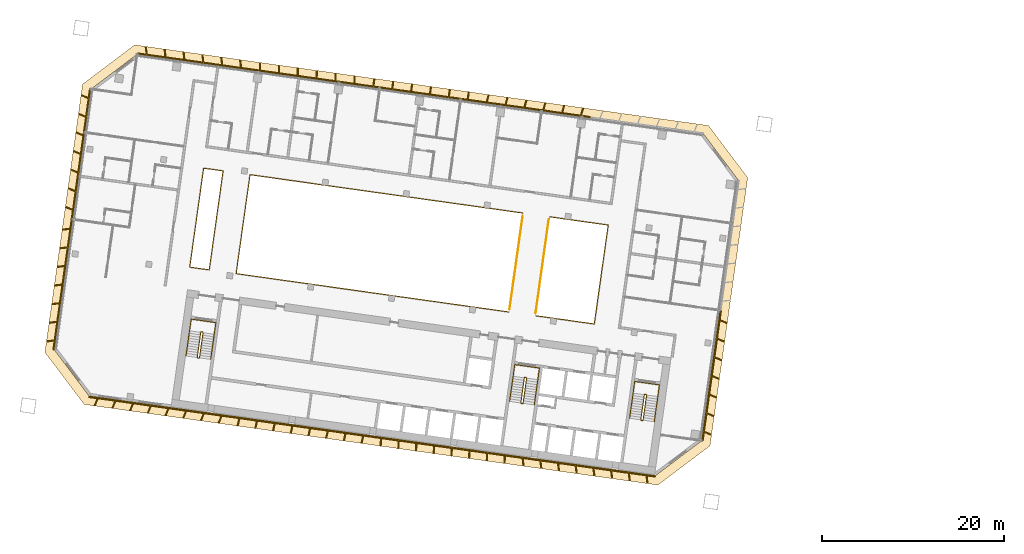
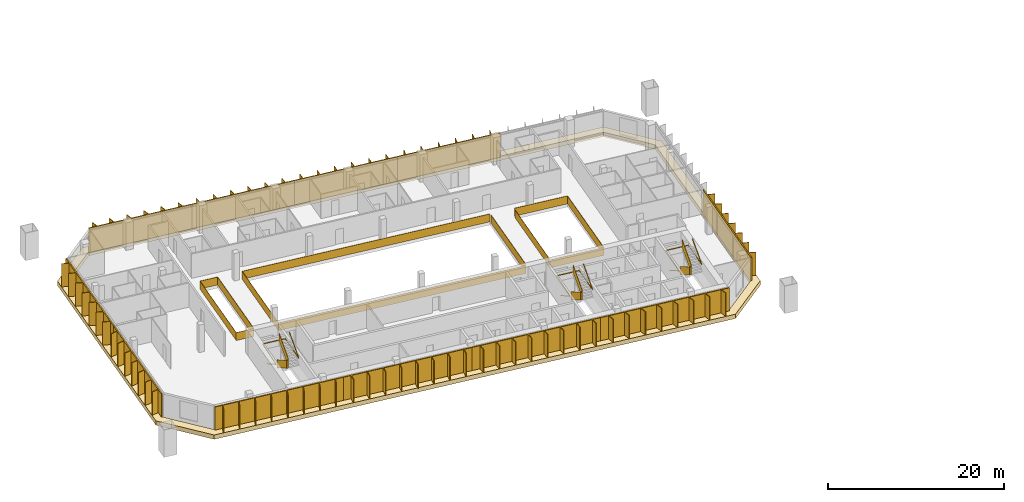
# One storey, part 25 of 27: 11 railings, 11 shading devices, 1 covering.
"""IFC4 building model written with IfcOpenShell, lengths in metres."""

from ifc_helpers import new_model, si_unit, direction, frame, origin, origin_2d, place, context, subcontext, project, spatial, polyline, rectangle, outline, extrude, material, layer, layer_set, type_object, element, save


model = new_model("IFC4")

# Units and contexts
model_context = context("Model", 3, precision=1e-05, world=origin(), true_north=direction((0.0, 1.0)))
body_context = subcontext(model_context, "Body", "Model", "MODEL_VIEW")
ifc_project = project(units=[si_unit("LENGTHUNIT", "METRE"), si_unit("AREAUNIT", "SQUARE_METRE"), si_unit("VOLUMEUNIT", "CUBIC_METRE"), si_unit("PLANEANGLEUNIT", "RADIAN"), si_unit("MASSUNIT", "GRAM", prefix="KILO")], contexts=[model_context])

# Site, building, storey
site_placement = place(None, origin())
site = spatial("IfcSite", under=ifc_project, at=site_placement, CompositionType="ELEMENT")
building_placement = place(site_placement, origin())
building = spatial("IfcBuilding", under=site, at=building_placement, Name="Mirante Cascada Hotel Towers", CompositionType="ELEMENT")
storey_placement = place(building_placement, frame((0.0, 0.0, 117.7)))
storey = spatial("IfcBuildingStorey", under=building, at=storey_placement, Name="L26", CompositionType="ELEMENT", Elevation=117.7)

# Railings
ifc_material_1 = material(Name="Toughened glass with stainless steel handrail", Category="steel")
railing_type_1 = type_object("IfcRailingType", Name="Atrium guard 1100 glass balustrade", PredefinedType="GUARDRAIL", material=ifc_material_1)
railing_1_placement = place(storey_placement, frame((-48.76, 8.3112, 0.0)))
element("IfcRailing", 1, at=railing_1_placement, inside=storey, type_object=railing_type_1, Name="GUARD 1-L26-1", PredefinedType="GUARDRAIL", context=body_context, shape_type="SweptSolid", body=[
    extrude(rectangle(XDim=0.048, YDim=0.048, at=origin_2d()), frame((0.0, 0.0, 1.076), z_axis=(0.9902694, -0.1391638, 0.0), x_axis=(0.1391638, 0.9902694, 0.0)), (0.0, 0.0, 1.0), 6.5125),
    extrude(rectangle(XDim=0.02, YDim=1.052, at=origin_2d()), frame((0.0, 0.0, 0.526), z_axis=(0.9902694, -0.1391638, 0.0), x_axis=(0.1391638, 0.9902694, 0.0)), (0.0, 0.0, 1.0), 6.5125),
    extrude(rectangle(XDim=0.048, YDim=0.048, at=origin_2d()), frame((6.4491, -0.9063, 1.076), z_axis=(-0.1391721, -0.9902682, 0.0), x_axis=(0.9902682, -0.1391721, 0.0)), (0.0, 0.0, 1.0), 11.0001),
    extrude(rectangle(XDim=0.02, YDim=1.052, at=origin_2d()), frame((6.4491, -0.9063, 0.526), z_axis=(-0.1391721, -0.9902682, 0.0), x_axis=(0.9902682, -0.1391721, 0.0)), (0.0, 0.0, 1.0), 11.0001),
    extrude(rectangle(XDim=0.048, YDim=0.048, at=origin_2d()), frame((4.9182, -11.7993, 1.076), z_axis=(-0.9902673, 0.1391788, 0.0), x_axis=(-0.1391788, -0.9902673, 0.0)), (0.0, 0.0, 1.0), 6.5125),
    extrude(rectangle(XDim=0.02, YDim=1.052, at=origin_2d()), frame((4.9182, -11.7993, 0.526), z_axis=(-0.9902673, 0.1391788, 0.0), x_axis=(-0.1391788, -0.9902673, 0.0)), (0.0, 0.0, 1.0), 6.5125),
])
railing_2_placement = place(storey_placement, frame((-53.2617, -2.1642, 0.0)))
element("IfcRailing", 2, at=railing_2_placement, inside=storey, type_object=railing_type_1, Name="GUARD 1-L26-2", PredefinedType="GUARDRAIL", context=body_context, shape_type="SweptSolid", body=[
    extrude(rectangle(XDim=0.048, YDim=0.048, at=origin_2d()), frame((0.0, 0.0, 1.076), z_axis=(-0.9902682, 0.1391722, 0.0), x_axis=(-0.1391722, -0.9902682, 0.0)), (0.0, 0.0, 1.0), 30.325),
    extrude(rectangle(XDim=0.02, YDim=1.052, at=origin_2d()), frame((0.0, 0.0, 0.526), z_axis=(-0.9902682, 0.1391722, 0.0), x_axis=(-0.1391722, -0.9902682, 0.0)), (0.0, 0.0, 1.0), 30.325),
    extrude(rectangle(XDim=0.048, YDim=0.048, at=origin_2d()), frame((-30.0299, 4.2204, 1.076), z_axis=(0.1391721, 0.9902682, 0.0), x_axis=(-0.9902682, 0.1391721, 0.0)), (0.0, 0.0, 1.0), 11.0001),
    extrude(rectangle(XDim=0.02, YDim=1.052, at=origin_2d()), frame((-30.0299, 4.2204, 0.526), z_axis=(0.1391721, 0.9902682, 0.0), x_axis=(-0.9902682, 0.1391721, 0.0)), (0.0, 0.0, 1.0), 11.0001),
    extrude(rectangle(XDim=0.048, YDim=0.048, at=origin_2d()), frame((-28.499, 15.1134, 1.076), z_axis=(0.9902682, -0.1391722, 0.0), x_axis=(0.1391722, 0.9902682, 0.0)), (0.0, 0.0, 1.0), 30.325),
    extrude(rectangle(XDim=0.02, YDim=1.052, at=origin_2d()), frame((-28.499, 15.1134, 0.526), z_axis=(0.9902682, -0.1391722, 0.0), x_axis=(0.1391722, 0.9902682, 0.0)), (0.0, 0.0, 1.0), 30.325),
])
railing_3_placement = place(storey_placement, frame((-86.2624, 2.4738, 0.0)))
element("IfcRailing", 3, at=railing_3_placement, inside=storey, type_object=railing_type_1, Name="GUARD 1-L26-3", PredefinedType="GUARDRAIL", context=body_context, shape_type="SweptSolid", body=[
    extrude(rectangle(XDim=0.048, YDim=0.048, at=origin_2d()), frame((0.0, 0.0, 1.076), z_axis=(-0.9902724, 0.1391422, 0.0), x_axis=(-0.1391422, -0.9902724, 0.0)), (0.0, 0.0, 1.0), 2.1625),
    extrude(rectangle(XDim=0.02, YDim=1.052, at=origin_2d()), frame((0.0, 0.0, 0.526), z_axis=(-0.9902724, 0.1391422, 0.0), x_axis=(-0.1391422, -0.9902724, 0.0)), (0.0, 0.0, 1.0), 2.1625),
    extrude(rectangle(XDim=0.048, YDim=0.048, at=origin_2d()), frame((-2.1415, 0.3009, 1.076), z_axis=(0.1391721, 0.9902682, 0.0), x_axis=(-0.9902682, 0.1391721, 0.0)), (0.0, 0.0, 1.0), 11.0001),
    extrude(rectangle(XDim=0.02, YDim=1.052, at=origin_2d()), frame((-2.1415, 0.3009, 0.526), z_axis=(0.1391721, 0.9902682, 0.0), x_axis=(-0.9902682, 0.1391721, 0.0)), (0.0, 0.0, 1.0), 11.0001),
    extrude(rectangle(XDim=0.048, YDim=0.048, at=origin_2d()), frame((-0.6106, 11.1939, 1.076), z_axis=(0.990266, -0.1391875, 0.0), x_axis=(0.1391875, 0.990266, 0.0)), (0.0, 0.0, 1.0), 2.1626),
    extrude(rectangle(XDim=0.02, YDim=1.052, at=origin_2d()), frame((-0.6106, 11.1939, 0.526), z_axis=(0.990266, -0.1391875, 0.0), x_axis=(0.1391875, 0.990266, 0.0)), (0.0, 0.0, 1.0), 2.1626),
    extrude(rectangle(XDim=0.048, YDim=0.048, at=origin_2d()), frame((1.5309, 10.8929, 1.076), z_axis=(-0.1391733, -0.990268, 0.0), x_axis=(0.990268, -0.1391733, 0.0)), (0.0, 0.0, 1.0), 11.0),
    extrude(rectangle(XDim=0.02, YDim=1.052, at=origin_2d()), frame((1.5309, 10.8929, 0.526), z_axis=(-0.1391733, -0.990268, 0.0), x_axis=(0.990268, -0.1391733, 0.0)), (0.0, 0.0, 1.0), 11.0),
])
railing_4_placement = place(storey_placement, frame((-53.172, -1.8782, 0.0)))
element("IfcRailing", 4, at=railing_4_placement, inside=storey, type_object=railing_type_1, Name="GUARD 1-L26-4", PredefinedType="GUARDRAIL", context=body_context, shape_type="SweptSolid", body=[
    extrude(rectangle(XDim=0.048, YDim=0.048, at=origin_2d()), frame((0.0, 0.0, 1.076), z_axis=(0.1391721, 0.9902682, 0.0), x_axis=(-0.9902682, 0.1391721, 0.0)), (0.0, 0.0, 1.0), 10.4087),
    extrude(rectangle(XDim=0.02, YDim=1.052, at=origin_2d()), frame((0.0, 0.0, 0.526), z_axis=(0.1391721, 0.9902682, 0.0), x_axis=(-0.9902682, 0.1391721, 0.0)), (0.0, 0.0, 1.0), 10.4087),
])
railing_5_placement = place(storey_placement, frame((-48.8497, 8.0253, 0.0)))
element("IfcRailing", 5, at=railing_5_placement, inside=storey, type_object=railing_type_1, Name="GUARD 1-L26-5", PredefinedType="GUARDRAIL", context=body_context, shape_type="SweptSolid", body=[
    extrude(rectangle(XDim=0.048, YDim=0.048, at=origin_2d()), frame((0.0, 0.0, 1.076), z_axis=(-0.1391708, -0.9902684, 0.0), x_axis=(0.9902684, -0.1391708, 0.0)), (0.0, 0.0, 1.0), 10.4088),
    extrude(rectangle(XDim=0.02, YDim=1.052, at=origin_2d()), frame((0.0, 0.0, 0.526), z_axis=(-0.1391708, -0.9902684, 0.0), x_axis=(0.9902684, -0.1391708, 0.0)), (0.0, 0.0, 1.0), 10.4088),
])

# Covering
ifc_material_2 = material(Name="Precast concrete C40/50 white", Category="concrete")
ifc_layer = layer(ifc_material_2, 0.6)
ifc_layer_set = layer_set([ifc_layer], Name="Precast concrete SUNSHADE band 1000x600")
covering_type = type_object("IfcCoveringType", Name="Precast concrete SUNSHADE band 1000x600", PredefinedType="CLADDING", material=ifc_layer_set)
covering_placement = place(storey_placement, frame((0.0, 0.0, -0.45)))
element("IfcCovering", 6, at=covering_placement, inside=storey, type_object=covering_type, Name="Precast concrete SUNSHADE band T1 L26", PredefinedType="CLADDING", context=body_context, shape_type="SweptSolid", body=[
    extrude(outline(polyline([(-104.3652, -6.6094), (-100.2139, 22.9287), (-94.4698, 27.2572), (-31.2626, 18.374), (-26.9341, 12.6299), (-31.0854, -16.9082), (-36.8295, -21.2367), (-100.0367, -12.3535), (-104.3652, -6.6094)]), holes=[polyline([(-27.982, 12.3589), (-31.8119, 17.4414), (-94.1988, 26.2093), (-99.2813, 22.3794), (-103.3173, -6.3384), (-99.4874, -11.4209), (-37.1005, -20.1888), (-32.018, -16.3589), (-27.982, 12.3589)])]), origin(), (0.0, 0.0, 1.0), 0.6),
])

# Railings
ifc_material_3 = material(Name="Painted steel", Category="steel")
railing_type_2 = type_object("IfcRailingType", Name="Stair guard 1100 steel balustrade", PredefinedType="GUARDRAIL", material=ifc_material_3)
railing_6_placement = place(storey_placement, frame((-38.1178, -11.2603, 0.0)))
element("IfcRailing", 7, at=railing_6_placement, inside=storey, type_object=railing_type_2, Name="L26 ST1-A stair guard 1", PredefinedType="GUARDRAIL", context=body_context, shape_type="SweptSolid", body=[
    extrude(rectangle(XDim=0.048, YDim=0.048, at=origin_2d()), frame((0.0, 0.0, 1.076), z_axis=(-0.9903326, 0.1387133, 0.0), x_axis=(-0.1387133, -0.9903326, 0.0)), (0.0, 0.0, 1.0), 0.1499),
    extrude(rectangle(XDim=0.02, YDim=1.052, at=origin_2d()), frame((0.0, 0.0, 0.526), z_axis=(-0.9903326, 0.1387133, 0.0), x_axis=(-0.1387133, -0.9903326, 0.0)), (0.0, 0.0, 1.0), 0.1499),
    extrude(rectangle(XDim=0.048, YDim=0.048, at=origin_2d()), frame((-0.1485, 0.0208, 1.076), z_axis=(-0.7991505, -0.6011309, 0.0), x_axis=(0.6011309, -0.7991505, 0.0)), (0.0, 0.9254529, 0.3788627), 0.1866),
    extrude(rectangle(XDim=0.02, YDim=1.052, at=origin_2d()), frame((-0.1485, 0.0208, 0.526), z_axis=(-0.7991505, -0.6011309, 0.0), x_axis=(0.6011309, -0.7991505, 0.0)), (0.0, 0.9254529, 0.3788627), 0.1866),
    extrude(rectangle(XDim=0.048, YDim=0.048, at=origin_2d()), frame((-0.205, -0.0217, 1.2487), z_axis=(-0.139176, -0.9902677, 0.0), x_axis=(0.9902677, -0.139176, 0.0)), (0.0, 0.5250212, 0.8510891), 3.29),
    extrude(rectangle(XDim=0.02, YDim=1.052, at=origin_2d()), frame((-0.205, -0.0217, 0.6987), z_axis=(-0.139176, -0.9902677, 0.0), x_axis=(0.9902677, -0.139176, 0.0)), (0.0, 0.5250212, 0.8510891), 3.29),
    extrude(rectangle(XDim=0.048, YDim=0.048, at=origin_2d()), frame((-0.5947, -2.7945, 2.976), z_axis=(0.9270311, -0.3749843, 0.0), x_axis=(0.3749843, 0.9270311, 0.0)), (0.0, 0.0, 1.0), 0.2061),
    extrude(rectangle(XDim=0.02, YDim=1.052, at=origin_2d()), frame((-0.5947, -2.7945, 2.426), z_axis=(0.9270311, -0.3749843, 0.0), x_axis=(0.3749843, 0.9270311, 0.0)), (0.0, 0.0, 1.0), 0.2061),
    extrude(rectangle(XDim=0.048, YDim=0.048, at=origin_2d()), frame((-0.4036, -2.8718, 2.976), z_axis=(-0.9902408, 0.1393672, 0.0), x_axis=(-0.1393672, -0.9902408, 0.0)), (0.0, 0.0, 1.0), 0.15),
    extrude(rectangle(XDim=0.02, YDim=1.052, at=origin_2d()), frame((-0.4036, -2.8718, 2.426), z_axis=(-0.9902408, 0.1393672, 0.0), x_axis=(-0.1393672, -0.9902408, 0.0)), (0.0, 0.0, 1.0), 0.15),
    extrude(rectangle(XDim=0.048, YDim=0.048, at=origin_2d()), frame((-0.5521, -2.8509, 2.976), z_axis=(0.9944948, 0.1047858, 0.0), x_axis=(-0.1047858, 0.9944948, 0.0)), (0.0, 0.6422034, 0.7665343), 0.2689),
    extrude(rectangle(XDim=0.02, YDim=1.052, at=origin_2d()), frame((-0.5521, -2.8509, 2.426), z_axis=(0.9944948, 0.1047858, 0.0), x_axis=(-0.1047858, 0.9944948, 0.0)), (0.0, 0.6422034, 0.7665343), 0.2689),
    extrude(rectangle(XDim=0.048, YDim=0.048, at=origin_2d()), frame((-0.3471, -2.8293, 3.1487), z_axis=(0.139176, 0.9902677, 0.0), x_axis=(-0.9902677, 0.139176, 0.0)), (0.0, 0.5250212, 0.8510891), 3.29),
    extrude(rectangle(XDim=0.02, YDim=1.052, at=origin_2d()), frame((-0.3471, -2.8293, 2.5987), z_axis=(0.139176, 0.9902677, 0.0), x_axis=(-0.9902677, 0.139176, 0.0)), (0.0, 0.5250212, 0.8510891), 3.29),
])
railing_7_placement = place(storey_placement, frame((-51.3379, -9.4024, 0.0)))
element("IfcRailing", 8, at=railing_7_placement, inside=storey, type_object=railing_type_2, Name="L26 ST1-B stair guard 1", PredefinedType="GUARDRAIL", context=body_context, shape_type="SweptSolid", body=[
    extrude(rectangle(XDim=0.048, YDim=0.048, at=origin_2d()), frame((0.0, 0.0, 1.076), z_axis=(-0.9902408, 0.1393672, 0.0), x_axis=(-0.1393672, -0.9902408, 0.0)), (0.0, 0.0, 1.0), 0.15),
    extrude(rectangle(XDim=0.02, YDim=1.052, at=origin_2d()), frame((0.0, 0.0, 0.526), z_axis=(-0.9902408, 0.1393672, 0.0), x_axis=(-0.1393672, -0.9902408, 0.0)), (0.0, 0.0, 1.0), 0.15),
    extrude(rectangle(XDim=0.048, YDim=0.048, at=origin_2d()), frame((-0.1485, 0.0209, 1.076), z_axis=(-0.7984711, -0.6020331, 0.0), x_axis=(0.6020331, -0.7984711, 0.0)), (0.0, 0.9253398, 0.3791387), 0.1866),
    extrude(rectangle(XDim=0.02, YDim=1.052, at=origin_2d()), frame((-0.1485, 0.0209, 0.526), z_axis=(-0.7984711, -0.6020331, 0.0), x_axis=(0.6020331, -0.7984711, 0.0)), (0.0, 0.9253398, 0.3791387), 0.1866),
    extrude(rectangle(XDim=0.048, YDim=0.048, at=origin_2d()), frame((-0.205, -0.0217, 1.2487), z_axis=(-0.139181, -0.990267, 0.0), x_axis=(0.990267, -0.139181, 0.0)), (0.0, 0.5250347, 0.8510808), 3.2899),
    extrude(rectangle(XDim=0.02, YDim=1.052, at=origin_2d()), frame((-0.205, -0.0217, 0.6987), z_axis=(-0.139181, -0.990267, 0.0), x_axis=(0.990267, -0.139181, 0.0)), (0.0, 0.5250347, 0.8510808), 3.2899),
    extrude(rectangle(XDim=0.048, YDim=0.048, at=origin_2d()), frame((-0.5947, -2.7944, 2.976), z_axis=(0.9268624, -0.3754011, 0.0), x_axis=(0.3754011, 0.9268624, 0.0)), (0.0, 0.0, 1.0), 0.2062),
    extrude(rectangle(XDim=0.02, YDim=1.052, at=origin_2d()), frame((-0.5947, -2.7944, 2.426), z_axis=(0.9268624, -0.3754011, 0.0), x_axis=(0.3754011, 0.9268624, 0.0)), (0.0, 0.0, 1.0), 0.2062),
    extrude(rectangle(XDim=0.048, YDim=0.048, at=origin_2d()), frame((-0.4036, -2.8718, 2.976), z_axis=(-0.9902408, 0.1393672, 0.0), x_axis=(-0.1393672, -0.9902408, 0.0)), (0.0, 0.0, 1.0), 0.15),
    extrude(rectangle(XDim=0.02, YDim=1.052, at=origin_2d()), frame((-0.4036, -2.8718, 2.426), z_axis=(-0.9902408, 0.1393672, 0.0), x_axis=(-0.1393672, -0.9902408, 0.0)), (0.0, 0.0, 1.0), 0.15),
    extrude(rectangle(XDim=0.048, YDim=0.048, at=origin_2d()), frame((-0.5521, -2.8509, 2.976), z_axis=(0.9944441, 0.1052656, 0.0), x_axis=(-0.1052656, 0.9944441, 0.0)), (0.0, 0.6421842, 0.7665504), 0.2689),
    extrude(rectangle(XDim=0.02, YDim=1.052, at=origin_2d()), frame((-0.5521, -2.8509, 2.426), z_axis=(0.9944441, 0.1052656, 0.0), x_axis=(-0.1052656, 0.9944441, 0.0)), (0.0, 0.6421842, 0.7665504), 0.2689),
    extrude(rectangle(XDim=0.048, YDim=0.048, at=origin_2d()), frame((-0.3471, -2.8292, 3.1487), z_axis=(0.139181, 0.990267, 0.0), x_axis=(-0.990267, 0.139181, 0.0)), (0.0, 0.5250347, 0.8510808), 3.2899),
    extrude(rectangle(XDim=0.02, YDim=1.052, at=origin_2d()), frame((-0.3471, -2.8292, 2.5987), z_axis=(0.139181, 0.990267, 0.0), x_axis=(-0.990267, 0.139181, 0.0)), (0.0, 0.5250347, 0.8510808), 3.2899),
])
railing_8_placement = place(storey_placement, frame((-86.9875, -4.3922, 0.0)))
element("IfcRailing", 9, at=railing_8_placement, inside=storey, type_object=railing_type_2, Name="L26 ST1-C stair guard 1", PredefinedType="GUARDRAIL", context=body_context, shape_type="SweptSolid", body=[
    extrude(rectangle(XDim=0.048, YDim=0.048, at=origin_2d()), frame((0.0, 0.0, 1.076), z_axis=(-0.9902537, 0.1392753, 0.0), x_axis=(-0.1392753, -0.9902537, 0.0)), (0.0, 0.0, 1.0), 0.1501),
    extrude(rectangle(XDim=0.02, YDim=1.052, at=origin_2d()), frame((0.0, 0.0, 0.526), z_axis=(-0.9902537, 0.1392753, 0.0), x_axis=(-0.1392753, -0.9902537, 0.0)), (0.0, 0.0, 1.0), 0.1501),
    extrude(rectangle(XDim=0.048, YDim=0.048, at=origin_2d()), frame((-0.1486, 0.0209, 1.076), z_axis=(-0.7986386, -0.601811, 0.0), x_axis=(0.601811, -0.7986386, 0.0)), (0.0, 0.925603, 0.3784959), 0.1866),
    extrude(rectangle(XDim=0.02, YDim=1.052, at=origin_2d()), frame((-0.1486, 0.0209, 0.526), z_axis=(-0.7986386, -0.601811, 0.0), x_axis=(0.601811, -0.7986386, 0.0)), (0.0, 0.925603, 0.3784959), 0.1866),
    extrude(rectangle(XDim=0.048, YDim=0.048, at=origin_2d()), frame((-0.205, -0.0216, 1.2487), z_axis=(-0.139176, -0.9902677, 0.0), x_axis=(0.9902677, -0.139176, 0.0)), (0.0, 0.5250212, 0.8510891), 3.29),
    extrude(rectangle(XDim=0.02, YDim=1.052, at=origin_2d()), frame((-0.205, -0.0216, 0.6987), z_axis=(-0.139176, -0.9902677, 0.0), x_axis=(0.9902677, -0.139176, 0.0)), (0.0, 0.5250212, 0.8510891), 3.29),
    extrude(rectangle(XDim=0.048, YDim=0.048, at=origin_2d()), frame((-0.5947, -2.7944, 2.976), z_axis=(0.9270311, -0.3749843, 0.0), x_axis=(0.3749843, 0.9270311, 0.0)), (0.0, 0.0, 1.0), 0.2061),
    extrude(rectangle(XDim=0.02, YDim=1.052, at=origin_2d()), frame((-0.5947, -2.7944, 2.426), z_axis=(0.9270311, -0.3749843, 0.0), x_axis=(0.3749843, 0.9270311, 0.0)), (0.0, 0.0, 1.0), 0.2061),
    extrude(rectangle(XDim=0.048, YDim=0.048, at=origin_2d()), frame((-0.4036, -2.8717, 2.976), z_axis=(-0.9903454, 0.1386217, 0.0), x_axis=(-0.1386217, -0.9903454, 0.0)), (0.0, 0.0, 1.0), 0.15),
    extrude(rectangle(XDim=0.02, YDim=1.052, at=origin_2d()), frame((-0.4036, -2.8717, 2.426), z_axis=(-0.9903454, 0.1386217, 0.0), x_axis=(-0.1386217, -0.9903454, 0.0)), (0.0, 0.0, 1.0), 0.15),
    extrude(rectangle(XDim=0.048, YDim=0.048, at=origin_2d()), frame((-0.5522, -2.8509, 2.976), z_axis=(0.9944441, 0.1052656, 0.0), x_axis=(-0.1052656, 0.9944441, 0.0)), (0.0, 0.6421842, 0.7665504), 0.2689),
    extrude(rectangle(XDim=0.02, YDim=1.052, at=origin_2d()), frame((-0.5522, -2.8509, 2.426), z_axis=(0.9944441, 0.1052656, 0.0), x_axis=(-0.1052656, 0.9944441, 0.0)), (0.0, 0.6421842, 0.7665504), 0.2689),
    extrude(rectangle(XDim=0.048, YDim=0.048, at=origin_2d()), frame((-0.3472, -2.8292, 3.1487), z_axis=(0.139176, 0.9902677, 0.0), x_axis=(-0.9902677, 0.139176, 0.0)), (0.0, 0.5250212, 0.8510891), 3.29),
    extrude(rectangle(XDim=0.02, YDim=1.052, at=origin_2d()), frame((-0.3472, -2.8292, 2.5987), z_axis=(0.139176, 0.9902677, 0.0), x_axis=(-0.9902677, 0.139176, 0.0)), (0.0, 0.5250212, 0.8510891), 3.29),
])
ifc_material_4 = material(Name="Painted steel", Category="steel")
railing_type_3 = type_object("IfcRailingType", Name="Stair handrail 900 steel tube", PredefinedType="HANDRAIL", material=ifc_material_4)
railing_9_placement = place(storey_placement, frame((-39.5606, -11.1081, 0.1727)))
element("IfcRailing", 10, at=railing_9_placement, inside=storey, type_object=railing_type_3, Name="L26 ST1-A stair handrail 1", PredefinedType="HANDRAIL", context=body_context, shape_type="SweptSolid", body=[
    extrude(rectangle(XDim=0.048, YDim=0.048, at=origin_2d()), frame((0.0, 0.0, 0.876), z_axis=(-0.139181, -0.990267, 0.0), x_axis=(0.990267, -0.139181, 0.0)), (0.0, 0.5250347, 0.8510808), 3.2899),
    extrude(rectangle(XDim=0.048, YDim=0.048, at=origin_2d()), frame((-0.3897, -2.7727, 2.6033), z_axis=(0.1391707, 0.9902684, 0.0), x_axis=(-0.9902684, 0.1391707, 0.0)), (0.0, 0.0420846, 0.999114), 4.1036),
    extrude(rectangle(XDim=0.048, YDim=0.048, at=origin_2d()), frame((0.1809, 1.2874, 2.776), z_axis=(0.9902691, -0.1391657, 0.0), x_axis=(0.1391657, 0.9902691, 0.0)), (0.0, 0.0, 1.0), 2.75),
    extrude(rectangle(XDim=0.048, YDim=0.048, at=origin_2d()), frame((2.9041, 0.9047, 2.776), z_axis=(-0.1391707, -0.9902684, 0.0), x_axis=(0.9902684, -0.1391707, 0.0)), (0.0, 0.0, 1.0), 4.1),
    extrude(rectangle(XDim=0.048, YDim=0.048, at=origin_2d()), frame((2.3335, -3.1554, 2.776), z_axis=(0.139181, 0.990267, 0.0), x_axis=(-0.990267, 0.139181, 0.0)), (0.0, 0.5250347, 0.8510808), 3.2899),
])
railing_10_placement = place(storey_placement, frame((-52.7807, -9.2501, 0.1727)))
element("IfcRailing", 11, at=railing_10_placement, inside=storey, type_object=railing_type_3, Name="L26 ST1-B stair handrail 1", PredefinedType="HANDRAIL", context=body_context, shape_type="SweptSolid", body=[
    extrude(rectangle(XDim=0.048, YDim=0.048, at=origin_2d()), frame((0.0, 0.0, 0.876), z_axis=(-0.139181, -0.990267, 0.0), x_axis=(0.990267, -0.139181, 0.0)), (0.0, 0.5250347, 0.8510808), 3.2899),
    extrude(rectangle(XDim=0.048, YDim=0.048, at=origin_2d()), frame((-0.3897, -2.7727, 2.6033), z_axis=(0.1391707, 0.9902684, 0.0), x_axis=(-0.9902684, 0.1391707, 0.0)), (0.0, 0.0420846, 0.999114), 4.1036),
    extrude(rectangle(XDim=0.048, YDim=0.048, at=origin_2d()), frame((0.1809, 1.2874, 2.776), z_axis=(0.9902641, -0.1392013, 0.0), x_axis=(0.1392013, 0.9902641, 0.0)), (0.0, 0.0, 1.0), 2.75),
    extrude(rectangle(XDim=0.048, YDim=0.048, at=origin_2d()), frame((2.9041, 0.9046, 2.776), z_axis=(-0.1391707, -0.9902684, 0.0), x_axis=(0.9902684, -0.1391707, 0.0)), (0.0, 0.0, 1.0), 4.1),
    extrude(rectangle(XDim=0.048, YDim=0.048, at=origin_2d()), frame((2.3335, -3.1555, 2.776), z_axis=(0.139176, 0.9902677, 0.0), x_axis=(-0.9902677, 0.139176, 0.0)), (0.0, 0.5250212, 0.8510891), 3.29),
])
railing_11_placement = place(storey_placement, frame((-88.4304, -4.2399, 0.1727)))
element("IfcRailing", 12, at=railing_11_placement, inside=storey, type_object=railing_type_3, Name="L26 ST1-C stair handrail 1", PredefinedType="HANDRAIL", context=body_context, shape_type="SweptSolid", body=[
    extrude(rectangle(XDim=0.048, YDim=0.048, at=origin_2d()), frame((0.0, 0.0, 0.876), z_axis=(-0.139181, -0.990267, 0.0), x_axis=(0.990267, -0.139181, 0.0)), (0.0, 0.5250347, 0.8510808), 3.2899),
    extrude(rectangle(XDim=0.048, YDim=0.048, at=origin_2d()), frame((-0.3897, -2.7727, 2.6033), z_axis=(0.1391947, 0.990265, 0.0), x_axis=(-0.990265, 0.1391947, 0.0)), (0.0, 0.0420845, 0.9991141), 4.1036),
    extrude(rectangle(XDim=0.048, YDim=0.048, at=origin_2d()), frame((0.181, 1.2874, 2.776), z_axis=(0.9902691, -0.1391657, 0.0), x_axis=(0.1391657, 0.9902691, 0.0)), (0.0, 0.0, 1.0), 2.75),
    extrude(rectangle(XDim=0.048, YDim=0.048, at=origin_2d()), frame((2.9042, 0.9047, 2.776), z_axis=(-0.1391707, -0.9902684, 0.0), x_axis=(0.9902684, -0.1391707, 0.0)), (0.0, 0.0, 1.0), 4.1),
    extrude(rectangle(XDim=0.048, YDim=0.048, at=origin_2d()), frame((2.3336, -3.1554, 2.776), z_axis=(0.139181, 0.990267, 0.0), x_axis=(-0.990267, 0.139181, 0.0)), (0.0, 0.5250347, 0.8510808), 3.2899),
])

# Shading devices
ifc_material_5 = material(Name="White precast concrete C50/60 fin", Category="concrete")
shading_device_type = type_object("IfcShadingDeviceType", Name="Vertical fin set 4500x900", PredefinedType="USERDEFINED", material=ifc_material_5)
shading_device_1_placement = place(storey_placement, origin())
element("IfcShadingDevice", 13, at=shading_device_1_placement, inside=storey, type_object=shading_device_type, Name="FIN T1 L26 front 1", ObjectType="FIN", PredefinedType="USERDEFINED", context=body_context, shape_type="SweptSolid", body=[
    extrude(outline(polyline([(-82.8173, 25.599), (-82.7126, 24.7465), (-81.7006, 24.6042), (-81.7214, 24.4557), (-94.1988, 26.2093), (-94.1779, 26.3578), (-93.1924, 26.2193), (-93.2945, 27.0506), (-93.2151, 27.0603), (-93.1104, 26.2078), (-91.1129, 25.9271), (-91.2149, 26.7583), (-91.1355, 26.7681), (-91.0308, 25.9155), (-89.0333, 25.6348), (-89.1354, 26.4661), (-89.056, 26.4758), (-88.9513, 25.6233), (-86.9537, 25.3425), (-87.0558, 26.1738), (-86.9764, 26.1835), (-86.8717, 25.331), (-84.8742, 25.0503), (-84.9762, 25.8815), (-84.8968, 25.8913), (-84.7922, 25.0387), (-82.7946, 24.758), (-82.8967, 25.5893), (-82.8173, 25.599)])), origin(), (0.0, 0.0, 1.0), 3.35),
])
shading_device_2_placement = place(storey_placement, origin())
element("IfcShadingDevice", 14, at=shading_device_2_placement, inside=storey, type_object=shading_device_type, Name="FIN T1 L26 front 2", ObjectType="FIN", PredefinedType="USERDEFINED", context=body_context, shape_type="SweptSolid", body=[
    extrude(outline(polyline([(-70.2221, 23.8469), (-70.2295, 22.9921), (-69.2232, 22.8507), (-69.2441, 22.7021), (-81.7214, 24.4557), (-81.7006, 24.6042), (-80.7072, 24.4646), (-80.6999, 25.3089), (-80.6199, 25.3082), (-80.6273, 24.4534), (-78.6277, 24.1724), (-78.6203, 25.0166), (-78.5403, 25.0159), (-78.5478, 24.1611), (-76.5481, 23.8801), (-76.5407, 24.7244), (-76.4608, 24.7237), (-76.4682, 23.8689), (-74.4686, 23.5878), (-74.4612, 24.4321), (-74.3812, 24.4314), (-74.3886, 23.5766), (-72.389, 23.2956), (-72.3816, 24.1399), (-72.3016, 24.1392), (-72.3091, 23.2844), (-70.3094, 23.0033), (-70.3021, 23.8476), (-70.2221, 23.8469)])), origin(), (0.0, 0.0, 1.0), 3.35),
])
shading_device_3_placement = place(storey_placement, origin())
element("IfcShadingDevice", 15, at=shading_device_3_placement, inside=storey, type_object=shading_device_type, Name="FIN T1 L26 front 3", ObjectType="FIN", PredefinedType="USERDEFINED", context=body_context, shape_type="SweptSolid", body=[
    extrude(outline(polyline([(-57.6277, 22.0794), (-57.746, 21.2376), (-56.7458, 21.0971), (-56.7667, 20.9485), (-69.2441, 22.7021), (-69.2232, 22.8507), (-68.223, 22.7101), (-68.1047, 23.5518), (-68.0255, 23.5407), (-68.1438, 22.699), (-66.1434, 22.4178), (-66.0251, 23.2596), (-65.9459, 23.2484), (-66.0642, 22.4067), (-64.0639, 22.1256), (-63.9456, 22.9673), (-63.8664, 22.9562), (-63.9847, 22.1144), (-61.9843, 21.8333), (-61.866, 22.675), (-61.7868, 22.6639), (-61.9051, 21.8222), (-59.9048, 21.541), (-59.7865, 22.3828), (-59.7072, 22.3716), (-59.8255, 21.5299), (-57.8252, 21.2488), (-57.7069, 22.0905), (-57.6277, 22.0794)])), origin(), (0.0, 0.0, 1.0), 3.35),
])
shading_device_4_placement = place(storey_placement, origin())
element("IfcShadingDevice", 16, at=shading_device_4_placement, inside=storey, type_object=shading_device_type, Name="FIN T1 L26 front 4", ObjectType="FIN", PredefinedType="USERDEFINED", context=body_context, shape_type="SweptSolid", body=[
    extrude(outline(polyline([(-45.0361, 20.2967), (-45.2617, 19.4831), (-44.2684, 19.3435), (-44.2893, 19.195), (-56.7667, 20.9485), (-56.7458, 21.0971), (-55.7394, 20.9556), (-55.511, 21.7794), (-55.4339, 21.758), (-55.6595, 20.9444), (-53.6599, 20.6634), (-53.4314, 21.4871), (-53.3544, 21.4657), (-53.58, 20.6521), (-51.5803, 20.3711), (-51.3519, 21.1949), (-51.2748, 21.1735), (-51.5004, 20.3599), (-49.5008, 20.0789), (-49.2723, 20.9026), (-49.1952, 20.8812), (-49.4209, 20.0676), (-47.4212, 19.7866), (-47.1928, 20.6103), (-47.1157, 20.589), (-47.3413, 19.7754), (-45.3416, 19.4943), (-45.1132, 20.3181), (-45.0361, 20.2967)])), origin(), (0.0, 0.0, 1.0), 3.35),
])
shading_device_5_placement = place(storey_placement, origin())
element("IfcShadingDevice", 17, at=shading_device_5_placement, inside=storey, type_object=shading_device_type, Name="FIN T1 L26 inner 2", ObjectType="FIN", PredefinedType="USERDEFINED", context=body_context, shape_type="SweptSolid", body=[
    extrude(outline(polyline([(-31.733, -15.4084), (-31.8695, -16.3798), (-32.018, -16.3589), (-30.0, -2.0), (-29.8515, -2.0209), (-29.9917, -3.0188), (-29.201, -3.3544), (-29.2323, -3.428), (-30.0032, -3.1008), (-30.28, -5.07), (-29.4893, -5.4057), (-29.5206, -5.4793), (-30.2915, -5.1521), (-30.5683, -7.1213), (-29.7776, -7.4569), (-29.8089, -7.5306), (-30.5798, -7.2033), (-30.8566, -9.1726), (-30.0659, -9.5082), (-30.0972, -9.5818), (-30.8681, -9.2546), (-31.1449, -11.2238), (-30.3542, -11.5595), (-30.3854, -11.6331), (-31.1564, -11.3059), (-31.4331, -13.2751), (-30.6425, -13.6107), (-30.6737, -13.6844), (-31.4447, -13.3571), (-31.7214, -15.3264), (-30.9308, -15.662), (-30.962, -15.7356), (-31.733, -15.4084)])), origin(), (0.0, 0.0, 1.0), 3.35),
])
shading_device_6_placement = place(storey_placement, origin())
element("IfcShadingDevice", 18, at=shading_device_6_placement, inside=storey, type_object=shading_device_type, Name="FIN T1 L26 outer 1", ObjectType="FIN", PredefinedType="USERDEFINED", context=body_context, shape_type="SweptSolid", body=[
    extrude(outline(polyline([(-103.3178, -5.2642), (-103.041, -3.2949), (-103.8723, -3.397), (-103.8821, -3.3176), (-103.0295, -3.2129), (-102.7528, -1.2436), (-103.584, -1.3457), (-103.5938, -1.2663), (-102.7412, -1.1616), (-102.4645, 0.8076), (-103.2957, 0.7056), (-103.3055, 0.785), (-102.4529, 0.8896), (-102.1762, 2.8589), (-103.0075, 2.7568), (-103.0172, 2.8362), (-102.1647, 2.9409), (-101.8879, 4.9102), (-102.7192, 4.8081), (-102.7289, 4.8875), (-101.8764, 4.9922), (-101.5996, 6.9614), (-102.4309, 6.8594), (-102.4406, 6.9388), (-101.5881, 7.0434), (-101.4478, 8.0413), (-101.2993, 8.0205), (-103.3173, -6.3384), (-103.4659, -6.3175), (-103.3293, -5.3462), (-104.1606, -5.4483), (-104.1704, -5.3689), (-103.3178, -5.2642)])), origin(), (0.0, 0.0, 1.0), 3.35),
])
shading_device_7_placement = place(storey_placement, origin())
element("IfcShadingDevice", 19, at=shading_device_7_placement, inside=storey, type_object=shading_device_type, Name="FIN T1 L26 outer 2", ObjectType="FIN", PredefinedType="USERDEFINED", context=body_context, shape_type="SweptSolid", body=[
    extrude(outline(polyline([(-101.2961, 9.1212), (-101.0193, 11.0905), (-101.81, 11.4261), (-101.7787, 11.4998), (-101.0078, 11.1725), (-100.731, 13.1418), (-101.5217, 13.4774), (-101.4904, 13.551), (-100.7195, 13.2238), (-100.4427, 15.193), (-101.2334, 15.5287), (-101.2021, 15.6023), (-100.4312, 15.2751), (-100.1544, 17.2443), (-100.9451, 17.5799), (-100.9139, 17.6536), (-100.1429, 17.3263), (-99.8662, 19.2956), (-100.6568, 19.6312), (-100.6256, 19.7048), (-99.8546, 19.3776), (-99.5779, 21.3469), (-100.3685, 21.6825), (-100.3373, 21.7561), (-99.5663, 21.4289), (-99.4298, 22.4002), (-99.2813, 22.3794), (-101.2993, 8.0205), (-101.4478, 8.0413), (-101.3076, 9.0392), (-102.0983, 9.3749), (-102.067, 9.4485), (-101.2961, 9.1212)])), origin(), (0.0, 0.0, 1.0), 3.35),
])
shading_device_8_placement = place(storey_placement, origin())
element("IfcShadingDevice", 20, at=shading_device_8_placement, inside=storey, type_object=shading_device_type, Name="FIN T1 L26 rear 1", ObjectType="FIN", PredefinedType="USERDEFINED", context=body_context, shape_type="SweptSolid", body=[
    extrude(outline(polyline([(-38.1239, -20.1965), (-39.9915, -19.934), (-39.8894, -20.7653), (-39.9688, -20.775), (-40.0735, -19.9225), (-41.9411, -19.66), (-41.839, -20.4913), (-41.9184, -20.501), (-42.0231, -19.6485), (-43.8907, -19.386), (-43.7886, -20.2173), (-43.868, -20.227), (-43.9727, -19.3745), (-45.8403, -19.112), (-45.7382, -19.9433), (-45.8176, -19.953), (-45.9223, -19.1005), (-47.7898, -18.838), (-47.6878, -19.6693), (-47.7672, -19.679), (-47.8719, -18.8265), (-49.7394, -18.564), (-49.6374, -19.3953), (-49.7168, -19.405), (-49.8214, -18.5525), (-51.689, -18.29), (-51.587, -19.1213), (-51.6664, -19.131), (-51.771, -18.2785), (-52.7181, -18.1454), (-52.6972, -17.9968), (-37.1005, -20.1888), (-37.1214, -20.3374), (-38.0419, -20.208), (-37.9398, -21.0393), (-38.0192, -21.049), (-38.1239, -20.1965)])), origin(), (0.0, 0.0, 1.0), 3.35),
])
shading_device_9_placement = place(storey_placement, origin())
element("IfcShadingDevice", 21, at=shading_device_9_placement, inside=storey, type_object=shading_device_type, Name="FIN T1 L26 rear 2", ObjectType="FIN", PredefinedType="USERDEFINED", context=body_context, shape_type="SweptSolid", body=[
    extrude(outline(polyline([(-53.7283, -18.0034), (-55.5984, -17.7406), (-55.6427, -18.5857), (-55.7226, -18.5815), (-55.6779, -17.7294), (-57.548, -17.4666), (-57.5923, -18.3117), (-57.6722, -18.3075), (-57.6275, -17.4554), (-59.4976, -17.1926), (-59.5419, -18.0377), (-59.6217, -18.0335), (-59.5771, -17.1814), (-61.4472, -16.9186), (-61.4914, -17.7637), (-61.5713, -17.7596), (-61.5267, -16.9074), (-63.3967, -16.6446), (-63.441, -17.4897), (-63.5209, -17.4856), (-63.4763, -16.6334), (-65.3463, -16.3706), (-65.3906, -17.2157), (-65.4705, -17.2116), (-65.4259, -16.3594), (-67.2959, -16.0966), (-67.3402, -16.9417), (-67.4201, -16.9376), (-67.3755, -16.0854), (-68.3148, -15.9534), (-68.2939, -15.8049), (-52.6972, -17.9968), (-52.7181, -18.1454), (-53.6488, -18.0146), (-53.6931, -18.8597), (-53.773, -18.8555), (-53.7283, -18.0034)])), origin(), (0.0, 0.0, 1.0), 3.35),
])
shading_device_10_placement = place(storey_placement, origin())
element("IfcShadingDevice", 22, at=shading_device_10_placement, inside=storey, type_object=shading_device_type, Name="FIN T1 L26 rear 3", ObjectType="FIN", PredefinedType="USERDEFINED", context=body_context, shape_type="SweptSolid", body=[
    extrude(outline(polyline([(-69.3337, -15.8102), (-71.2038, -15.5474), (-71.3957, -16.3788), (-71.4737, -16.3608), (-71.2833, -15.5362), (-73.1534, -15.2734), (-73.3453, -16.1048), (-73.4233, -16.0868), (-73.2329, -15.2622), (-75.103, -14.9994), (-75.2949, -15.8308), (-75.3729, -15.8128), (-75.1825, -14.9882), (-77.0525, -14.7254), (-77.2445, -15.5568), (-77.3224, -15.5388), (-77.1321, -14.7142), (-79.0021, -14.4514), (-79.1941, -15.2828), (-79.272, -15.2648), (-79.0817, -14.4402), (-80.9517, -14.1774), (-81.1437, -15.0088), (-81.2216, -14.9908), (-81.0312, -14.1662), (-82.9013, -13.9034), (-83.0933, -14.7348), (-83.1712, -14.7168), (-82.9808, -13.8922), (-83.9115, -13.7614), (-83.8907, -13.6129), (-68.2939, -15.8049), (-68.3148, -15.9534), (-69.2542, -15.8214), (-69.4461, -16.6528), (-69.5241, -16.6348), (-69.3337, -15.8102)])), origin(), (0.0, 0.0, 1.0), 3.35),
])
shading_device_11_placement = place(storey_placement, origin())
element("IfcShadingDevice", 23, at=shading_device_11_placement, inside=storey, type_object=shading_device_type, Name="FIN T1 L26 rear 4", ObjectType="FIN", PredefinedType="USERDEFINED", context=body_context, shape_type="SweptSolid", body=[
    extrude(outline(polyline([(-84.9406, -13.6168), (-86.8082, -13.3543), (-87.1438, -14.145), (-87.2174, -14.1137), (-86.8902, -13.3428), (-88.7578, -13.0803), (-89.0934, -13.871), (-89.167, -13.8397), (-88.8398, -13.0688), (-90.7074, -12.8063), (-91.043, -13.597), (-91.1166, -13.5657), (-90.7894, -12.7948), (-92.657, -12.5323), (-92.9926, -13.323), (-93.0662, -13.2918), (-92.739, -12.5208), (-94.6065, -12.2583), (-94.9422, -13.049), (-95.0158, -13.0178), (-94.6886, -12.2468), (-96.5561, -11.9843), (-96.8918, -12.775), (-96.9654, -12.7438), (-96.6381, -11.9728), (-98.5057, -11.7103), (-98.8413, -12.501), (-98.915, -12.4698), (-98.5877, -11.6988), (-99.5083, -11.5694), (-99.4874, -11.4209), (-83.8907, -13.6129), (-83.9115, -13.7614), (-84.8586, -13.6283), (-85.1942, -14.419), (-85.2679, -14.3877), (-84.9406, -13.6168)])), origin(), (0.0, 0.0, 1.0), 3.35),
])

save(model, "model.ifc")
